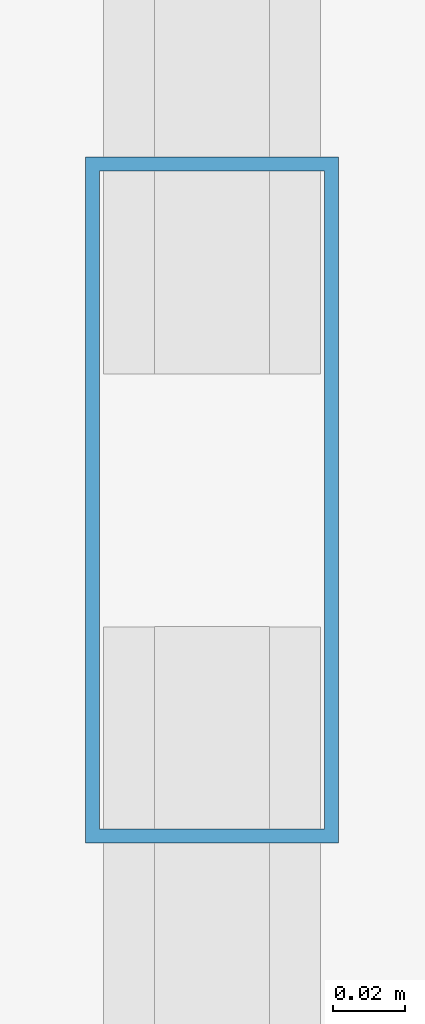
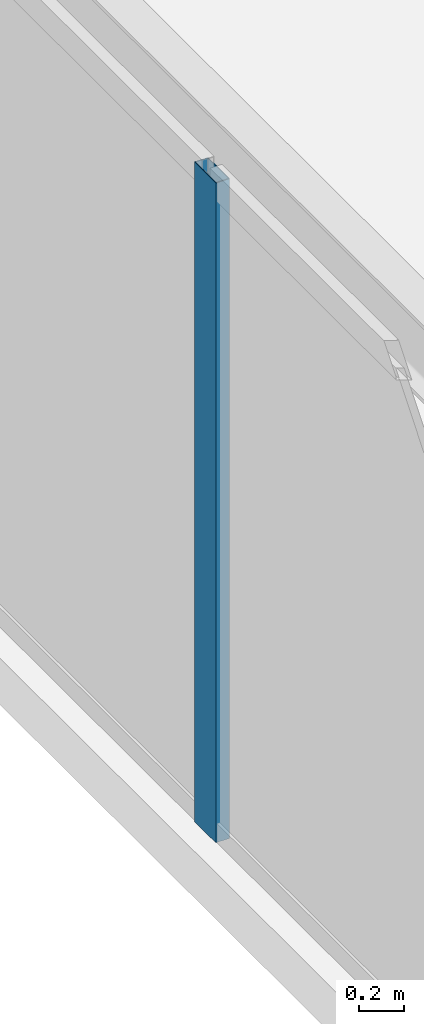
# One storey, part 6 of 30: 1 member, 1 element without a shape of its own.
"""IFC4 building model written with IfcOpenShell, lengths in metres."""

from ifc_helpers import new_model, si_unit, direction, frame, origin, origin_2d, place, context, subcontext, project, spatial, hollow_rectangle, extrude, source, transform, mapped, material, layer, layer_set, material_profile, profile_set, type_object, type_shapes, element, aggregate, save


model = new_model("IFC4")

# Units and contexts
model_context = context("Model", 3, precision=1e-05, world=origin(), true_north=direction((0.0, 1.0)))
body_context = subcontext(model_context, "Body", "Model", "MODEL_VIEW")
ifc_project = project(units=[si_unit("LENGTHUNIT", "METRE"), si_unit("AREAUNIT", "SQUARE_METRE"), si_unit("VOLUMEUNIT", "CUBIC_METRE"), si_unit("PLANEANGLEUNIT", "RADIAN"), si_unit("MASSUNIT", "GRAM", prefix="KILO")], contexts=[model_context])

# Site, building, storey
site_placement = place(None, origin())
site = spatial("IfcSite", under=ifc_project, at=site_placement, CompositionType="ELEMENT")
building_placement = place(site_placement, origin())
building = spatial("IfcBuilding", under=site, at=building_placement, Name="Varnel Quay Broadcast Tower", CompositionType="ELEMENT")
storey_placement = place(building_placement, frame((0.0, 0.0, 122.0)))
storey = spatial("IfcBuildingStorey", under=building, at=storey_placement, Name="L29", CompositionType="ELEMENT", Elevation=122.0)

# Curtain wall, member
ifc_material = material(Name="Anodised Bronze Aluminium 6063-T6", Category="aluminium")
ifc_layer = layer(ifc_material, 0.18994140625, Name="Anodised Bronze Aluminium 6063-T6")
ifc_layer_set = layer_set([ifc_layer], Name="Anodised Bronze Aluminium 6063-T6")
curtain_wall_type = type_object("IfcCurtainWallType", Name="CW_LowerTower", PredefinedType="NOTDEFINED", material=ifc_layer_set)
curtain_wall_placement = place(storey_placement, origin())
curtain_wall = element("IfcCurtainWall", 1, at=curtain_wall_placement, inside=storey, type_object=curtain_wall_type, Name="L29 West Unitised Curtain Wall", PredefinedType="NOTDEFINED")
ifc_material_profile = material_profile(ifc_material, hollow_rectangle(XDim=0.070068359375, YDim=0.18994140625, WallThickness=0.00390625, at=origin_2d()), Name="ALU70X190X4")
ifc_profile_set = profile_set([ifc_material_profile], Name="Anodised Bronze Aluminium 6063-T6")
member_type = type_object("IfcMemberType", Name="Mull_CWS-02", PredefinedType="MULLION", material=ifc_profile_set)
shared_shape = source(origin(), body_context, "Body", "SweptSolid", [
    extrude(hollow_rectangle(XDim=0.070068359375, YDim=0.18994140625, WallThickness=0.00390625, at=origin_2d()), origin(), (0.0, 0.0, 1.0), 3.550048828125),
])
type_shapes(member_type, [shared_shape])
member_placement = place(storey_placement, frame((4.64990234375, 19.60009765625, 0.0), z_axis=(0.0, 0.0, 1.0), x_axis=(-1.0, 0.0, 0.0)))
member = element("IfcMember", 2, at=member_placement, type_object=member_type, Name="CWS-02 mullion 2", PredefinedType="MULLION", context=body_context, shape_type="MappedRepresentation", body=[
    mapped(shared_shape, transform((0.0, 0.0, 0.0), x_axis=(1.0, 0.0, 0.0), y_axis=(0.0, 1.0, 0.0), z_axis=(0.0, 0.0, 1.0), scale=1.0)),
])
aggregate(curtain_wall, [member])

save(model, "model.ifc")
